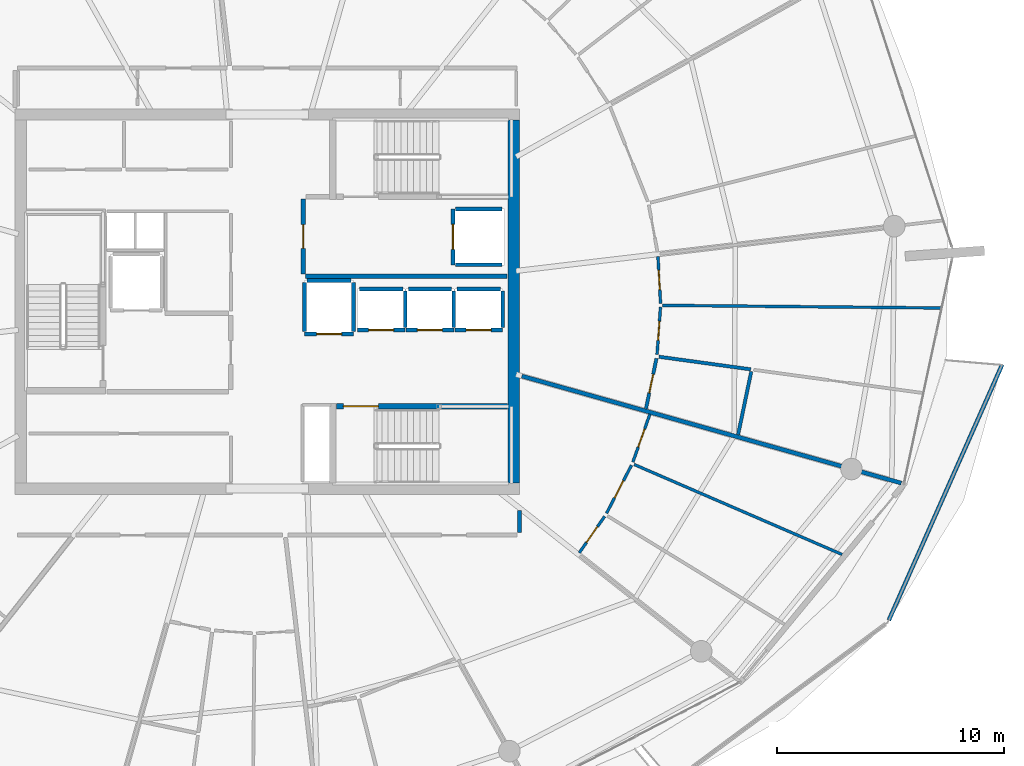
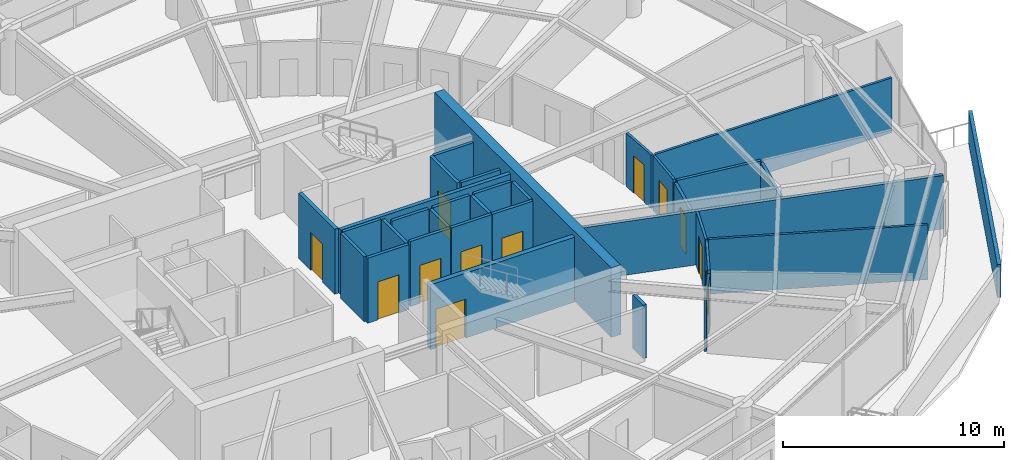
# One storey, part 20 of 30: 33 walls, 13 doors, 13 openings.
"""IFC4 building model written with IfcOpenShell, lengths in metres."""

from ifc_helpers import new_model, si_unit, direction, frame, frame_2d, origin, place, context, subcontext, project, spatial, polyline, rectangle, outline, extrude, material, layer, layer_set, type_object, element, fill, save


model = new_model("IFC4")

# Units and contexts
model_context = context("Model", 3, precision=1e-05, world=origin(), true_north=direction((0.0, 1.0)))
body_context = subcontext(model_context, "Body", "Model", "MODEL_VIEW")
ifc_project = project(units=[si_unit("LENGTHUNIT", "METRE"), si_unit("AREAUNIT", "SQUARE_METRE"), si_unit("VOLUMEUNIT", "CUBIC_METRE"), si_unit("PLANEANGLEUNIT", "RADIAN"), si_unit("MASSUNIT", "GRAM", prefix="KILO")], contexts=[model_context])

# Site, building, storey
site_placement = place(None, origin())
site = spatial("IfcSite", under=ifc_project, at=site_placement, CompositionType="ELEMENT")
building_placement = place(site_placement, origin())
building = spatial("IfcBuilding", under=site, at=building_placement, Name="Kazma Halo Residences", CompositionType="ELEMENT")
storey_placement = place(building_placement, frame((0.0, 0.0, 279.050048828125)))
storey = spatial("IfcBuildingStorey", under=building, at=storey_placement, Name="L70", CompositionType="ELEMENT", Elevation=279.050048828125)

# Walls
ifc_material_1 = material(Name="White Concrete C50/60 Balustrade", Category="concrete")
ifc_layer_1 = layer(ifc_material_1, 0.179931640625)
ifc_layer_set_1 = layer_set([ifc_layer_1], Name="White Concrete C50/60 Balustrade")
wall_type_1 = type_object("IfcWallType", Name="WL-BAL-WAVE-180", PredefinedType="PARAPET", material=ifc_layer_set_1)
wall_1_placement = place(storey_placement, frame((75.841552734375, 27.948486328125, 0.0), z_axis=(0.0, 0.0, 1.0), x_axis=(0.405327660322, 0.914171476135, 0.0)))
element("IfcWall", 1, at=wall_1_placement, inside=storey, type_object=wall_type_1, Name="L70 white wave balustrade wall SE.2", PredefinedType="PARAPET", context=body_context, shape_type="SweptSolid", body=[
    extrude(outline(polyline([(0.0, 0.0), (12.322998046875, 0.0), (12.322998046875, 1.755859375), (6.16162109375, 1.85302734375), (0.0, 1.83203125), (0.0, 0.0)])), frame((0.0, 0.08984375, 0.0), z_axis=(0.0, -1.0, 0.0), x_axis=(1.0, 0.0, 0.0)), (0.0, 0.0, 1.0), 0.179931640625),
])
ifc_material_2 = material(Name="Concrete C60/75", Category="concrete")
ifc_layer_2 = layer(ifc_material_2, 0.5)
ifc_layer_set_2 = layer_set([ifc_layer_2], Name="Concrete C60/75")
wall_type_2 = type_object("IfcWallType", Name="WL-CORE-500", PredefinedType="SHEAR", material=ifc_layer_set_2)
wall_2_placement = place(storey_placement, frame((59.300048828125, 34.0, 0.0), z_axis=(0.0, 0.0, 1.0), x_axis=(0.0, 1.0, 0.0)))
element("IfcWall", 2, at=wall_2_placement, inside=storey, type_object=wall_type_2, Name="L70 central core shear wall E", PredefinedType="SHEAR", context=body_context, shape_type="SweptSolid", body=[
    extrude(rectangle(XDim=16.0, YDim=0.5, at=frame_2d((8.0, 0.0))), origin(), (0.0, 0.0, 1.0), 3.849853515625),
])
ifc_material_3 = material(Name="Acoustic Twin-Stud Gypsum")
ifc_layer_3 = layer(ifc_material_3, 0.179931640625)
ifc_layer_set_3 = layer_set([ifc_layer_3], Name="Acoustic Twin-Stud Gypsum")
wall_type_3 = type_object("IfcWallType", Name="WL-DEM-180", PredefinedType="PARTITIONING", material=ifc_layer_set_3)
wall_3_placement = place(storey_placement, frame((59.656005859375, 38.712646484375, 0.0), z_axis=(0.0, 0.0, 1.0), x_axis=(0.962454756022, -0.27144215334, 0.0)))
element("IfcWall", 3, at=wall_3_placement, inside=storey, type_object=wall_type_3, Name="L70 apartment demising radial wall 14", PredefinedType="PARTITIONING", context=body_context, shape_type="SweptSolid", body=[
    extrude(rectangle(XDim=17.385009765625, YDim=0.179931640625, at=frame_2d((8.6923828125, 0.0))), origin(), (0.0, 0.0, 1.0), 2.95703125),
])
wall_4_placement = place(storey_placement, frame((59.550048828125, 31.820068359375, 0.0), z_axis=(0.0, 0.0, 1.0), x_axis=(0.0, 1.0, 0.0)))
element("IfcWall", 4, at=wall_4_placement, inside=storey, type_object=wall_type_3, Name="L70 Apartment 3 entrance corridor wall", PredefinedType="PARTITIONING", context=body_context, shape_type="SweptSolid", body=[
    extrude(rectangle(XDim=0.95458984375, YDim=0.179931640625, at=frame_2d((0.477294921875, 0.0))), origin(), (0.0, 0.0, 1.0), 2.95703125),
])

# Wall, opening, door
ifc_material_4 = material(Name="Fire-Rated Blockwork Masonry", Category="masonry")
ifc_layer_4 = layer(ifc_material_4, 0.199951171875)
ifc_layer_set_4 = layer_set([ifc_layer_4], Name="Fire-Rated Blockwork Masonry")
wall_type_4 = type_object("IfcWallType", Name="WL-FLB-200", PredefinedType="PARTITIONING", material=ifc_layer_set_4)
wall_5_placement = place(storey_placement, frame((54.5048828125, 40.7451171875, 0.0), z_axis=(0.0, 0.0, 1.0), x_axis=(-1.0, 0.0, 0.0)))
wall_5 = element("IfcWall", 5, at=wall_5_placement, inside=storey, type_object=wall_type_4, Name="L70 lift shaft PH-01 front wall", PredefinedType="PARTITIONING", context=body_context, shape_type="SweptSolid", body=[
    extrude(rectangle(XDim=2.10986328125, YDim=0.159912109375, at=frame_2d((1.054931640625, 0.0))), origin(), (0.0, 0.0, 1.0), 3.58984375),
])
opening_1_placement = place(wall_5_placement, frame((0.5048828125, 0.0, 0.0)))
opening_1 = element("IfcOpeningElement", 6, at=opening_1_placement, cuts=wall_5, Name="Opening LD-PH-01", PredefinedType="OPENING", context=body_context, shape_type="SweptSolid", body=[
    extrude(rectangle(XDim=1.10009765625, YDim=2.10009765625, at=frame_2d((0.550048828125, 1.050048828125))), frame((0.0, 0.08984375, 0.0), z_axis=(0.0, -1.0, 0.0), x_axis=(1.0, 0.0, 0.0)), (0.0, 0.0, 1.0), 0.179931640625),
])
ifc_material_5 = material(Name="Stainless Steel Fire-Rated", Category="steel")
door_type_1 = type_object("IfcDoorType", Name="DR-LIFT-SLD-1100", OperationType="DOUBLE_DOOR_SLIDING", PredefinedType="DOOR", material=ifc_material_5)
door_1_placement = place(opening_1_placement, origin())
door_1 = element("IfcDoor", 7, at=door_1_placement, inside=storey, type_object=door_type_1, Name="L70 lift PH-01 sliding landing door", OperationType="DOUBLE_DOOR_SLIDING", OverallHeight=2.10009765625, OverallWidth=1.10009765625, PredefinedType="DOOR", context=body_context, shape_type="SweptSolid", body=[
    extrude(rectangle(XDim=1.10009765625, YDim=2.10009765625, at=frame_2d((0.550048828125, 1.050048828125))), frame((0.0, 0.02490234375, 0.0), z_axis=(0.0, -1.0, 0.0), x_axis=(1.0, 0.0, 0.0)), (0.0, 0.0, 1.0), 0.050048828125),
])
fill(opening_1, door_1)

# Walls
wall_6_placement = place(storey_placement, frame((54.5048828125, 40.844970703125, 0.0), z_axis=(0.0, 0.0, 1.0), x_axis=(0.0, 1.0, 0.0)))
element("IfcWall", 8, at=wall_6_placement, inside=storey, type_object=wall_type_4, Name="L70 lift shaft PH-01 side wall E", PredefinedType="PARTITIONING", context=body_context, shape_type="SweptSolid", body=[
    extrude(rectangle(XDim=1.610107421875, YDim=0.159912109375, at=frame_2d((0.80517578125, 0.0))), origin(), (0.0, 0.0, 1.0), 3.58984375),
])
wall_7_placement = place(storey_placement, frame((52.4951171875, 42.554931640625, 0.0), z_axis=(0.0, 0.0, 1.0), x_axis=(1.0, 0.0, 0.0)))
element("IfcWall", 9, at=wall_7_placement, inside=storey, type_object=wall_type_4, Name="L70 lift shaft PH-01 side wall N", PredefinedType="PARTITIONING", context=body_context, shape_type="SweptSolid", body=[
    extrude(rectangle(XDim=1.909912109375, YDim=0.159912109375, at=frame_2d((0.955078125, 0.0))), origin(), (0.0, 0.0, 1.0), 3.58984375),
])

# Wall, opening, door
wall_8_placement = place(storey_placement, frame((56.655029296875, 40.7451171875, 0.0), z_axis=(0.0, 0.0, 1.0), x_axis=(-1.0, 0.0, 0.0)))
wall_8 = element("IfcWall", 10, at=wall_8_placement, inside=storey, type_object=wall_type_4, Name="L70 lift shaft PH-02 front wall", PredefinedType="PARTITIONING", context=body_context, shape_type="SweptSolid", body=[
    extrude(rectangle(XDim=2.110107421875, YDim=0.159912109375, at=frame_2d((1.05517578125, 0.0))), origin(), (0.0, 0.0, 1.0), 3.58984375),
])
opening_2_placement = place(wall_8_placement, frame((0.5048828125, 0.0, 0.0)))
opening_2 = element("IfcOpeningElement", 11, at=opening_2_placement, cuts=wall_8, Name="Opening LD-PH-02", PredefinedType="OPENING", context=body_context, shape_type="SweptSolid", body=[
    extrude(rectangle(XDim=1.10009765625, YDim=2.10009765625, at=frame_2d((0.550048828125, 1.050048828125))), frame((0.0, 0.08984375, 0.0), z_axis=(0.0, -1.0, 0.0), x_axis=(1.0, 0.0, 0.0)), (0.0, 0.0, 1.0), 0.179931640625),
])
door_2_placement = place(opening_2_placement, origin())
door_2 = element("IfcDoor", 12, at=door_2_placement, inside=storey, type_object=door_type_1, Name="L70 lift PH-02 sliding landing door", OperationType="DOUBLE_DOOR_SLIDING", OverallHeight=2.10009765625, OverallWidth=1.10009765625, PredefinedType="DOOR", context=body_context, shape_type="SweptSolid", body=[
    extrude(rectangle(XDim=1.10009765625, YDim=2.10009765625, at=frame_2d((0.550048828125, 1.050048828125))), frame((0.0, 0.02490234375, 0.0), z_axis=(0.0, -1.0, 0.0), x_axis=(1.0, 0.0, 0.0)), (0.0, 0.0, 1.0), 0.050048828125),
])
fill(opening_2, door_2)

# Walls
wall_9_placement = place(storey_placement, frame((56.655029296875, 40.844970703125, 0.0), z_axis=(0.0, 0.0, 1.0), x_axis=(0.0, 1.0, 0.0)))
element("IfcWall", 13, at=wall_9_placement, inside=storey, type_object=wall_type_4, Name="L70 lift shaft PH-02 side wall E", PredefinedType="PARTITIONING", context=body_context, shape_type="SweptSolid", body=[
    extrude(rectangle(XDim=1.610107421875, YDim=0.159912109375, at=frame_2d((0.80517578125, 0.0))), origin(), (0.0, 0.0, 1.0), 3.58984375),
])
wall_10_placement = place(storey_placement, frame((54.64501953125, 42.554931640625, 0.0), z_axis=(0.0, 0.0, 1.0), x_axis=(1.0, 0.0, 0.0)))
element("IfcWall", 14, at=wall_10_placement, inside=storey, type_object=wall_type_4, Name="L70 lift shaft PH-02 side wall N", PredefinedType="PARTITIONING", context=body_context, shape_type="SweptSolid", body=[
    extrude(rectangle(XDim=1.909912109375, YDim=0.159912109375, at=frame_2d((0.955078125, 0.0))), origin(), (0.0, 0.0, 1.0), 3.58984375),
])

# Wall, opening, door
wall_11_placement = place(storey_placement, frame((58.804931640625, 40.7451171875, 0.0), z_axis=(0.0, 0.0, 1.0), x_axis=(-1.0, 0.0, 0.0)))
wall_11 = element("IfcWall", 15, at=wall_11_placement, inside=storey, type_object=wall_type_4, Name="L70 lift shaft PH-03 front wall", PredefinedType="PARTITIONING", context=body_context, shape_type="SweptSolid", body=[
    extrude(rectangle(XDim=2.10986328125, YDim=0.159912109375, at=frame_2d((1.054931640625, 0.0))), origin(), (0.0, 0.0, 1.0), 3.58984375),
])
opening_3_placement = place(wall_11_placement, frame((0.5048828125, 0.0, 0.0)))
opening_3 = element("IfcOpeningElement", 16, at=opening_3_placement, cuts=wall_11, Name="Opening LD-PH-03", PredefinedType="OPENING", context=body_context, shape_type="SweptSolid", body=[
    extrude(rectangle(XDim=1.10009765625, YDim=2.10009765625, at=frame_2d((0.550048828125, 1.050048828125))), frame((0.0, 0.08984375, 0.0), z_axis=(0.0, -1.0, 0.0), x_axis=(1.0, 0.0, 0.0)), (0.0, 0.0, 1.0), 0.179931640625),
])
door_3_placement = place(opening_3_placement, origin())
door_3 = element("IfcDoor", 17, at=door_3_placement, inside=storey, type_object=door_type_1, Name="L70 lift PH-03 sliding landing door", OperationType="DOUBLE_DOOR_SLIDING", OverallHeight=2.10009765625, OverallWidth=1.10009765625, PredefinedType="DOOR", context=body_context, shape_type="SweptSolid", body=[
    extrude(rectangle(XDim=1.10009765625, YDim=2.10009765625, at=frame_2d((0.550048828125, 1.050048828125))), frame((0.0, 0.02490234375, 0.0), z_axis=(0.0, -1.0, 0.0), x_axis=(1.0, 0.0, 0.0)), (0.0, 0.0, 1.0), 0.050048828125),
])
fill(opening_3, door_3)

# Walls
wall_12_placement = place(storey_placement, frame((58.804931640625, 40.844970703125, 0.0), z_axis=(0.0, 0.0, 1.0), x_axis=(0.0, 1.0, 0.0)))
element("IfcWall", 18, at=wall_12_placement, inside=storey, type_object=wall_type_4, Name="L70 lift shaft PH-03 side wall E", PredefinedType="PARTITIONING", context=body_context, shape_type="SweptSolid", body=[
    extrude(rectangle(XDim=1.610107421875, YDim=0.159912109375, at=frame_2d((0.80517578125, 0.0))), origin(), (0.0, 0.0, 1.0), 3.58984375),
])
wall_13_placement = place(storey_placement, frame((56.794921875, 42.554931640625, 0.0), z_axis=(0.0, 0.0, 1.0), x_axis=(1.0, 0.0, 0.0)))
element("IfcWall", 19, at=wall_13_placement, inside=storey, type_object=wall_type_4, Name="L70 lift shaft PH-03 side wall N", PredefinedType="PARTITIONING", context=body_context, shape_type="SweptSolid", body=[
    extrude(rectangle(XDim=1.91015625, YDim=0.159912109375, at=frame_2d((0.955078125, 0.0))), origin(), (0.0, 0.0, 1.0), 3.58984375),
])

# Wall, opening, door
wall_14_placement = place(storey_placement, frame((56.6201171875, 46.080078125, 0.0), z_axis=(0.0, 0.0, 1.0), x_axis=(0.0, -1.0, 0.0)))
wall_14 = element("IfcWall", 20, at=wall_14_placement, inside=storey, type_object=wall_type_4, Name="L70 lift shaft FL-02 front wall", PredefinedType="PARTITIONING", context=body_context, shape_type="SweptSolid", body=[
    extrude(rectangle(XDim=2.4599609375, YDim=0.159912109375, at=frame_2d((1.22998046875, 0.0))), origin(), (0.0, 0.0, 1.0), 3.58984375),
])
opening_4_placement = place(wall_14_placement, frame((0.679931640625, 0.0, 0.0)))
opening_4 = element("IfcOpeningElement", 21, at=opening_4_placement, cuts=wall_14, Name="Opening LD-FL-02", PredefinedType="OPENING", context=body_context, shape_type="SweptSolid", body=[
    extrude(rectangle(XDim=1.10009765625, YDim=2.10009765625, at=frame_2d((0.550048828125, 1.050048828125))), frame((0.0, 0.08984375, 0.0), z_axis=(0.0, -1.0, 0.0), x_axis=(1.0, 0.0, 0.0)), (0.0, 0.0, 1.0), 0.179931640625),
])
door_4_placement = place(opening_4_placement, origin())
door_4 = element("IfcDoor", 22, at=door_4_placement, inside=storey, type_object=door_type_1, Name="L70 lift FL-02 sliding landing door", OperationType="DOUBLE_DOOR_SLIDING", OverallHeight=2.10009765625, OverallWidth=1.10009765625, PredefinedType="DOOR", context=body_context, shape_type="SweptSolid", body=[
    extrude(rectangle(XDim=1.10009765625, YDim=2.10009765625, at=frame_2d((0.550048828125, 1.050048828125))), frame((0.0, 0.02490234375, 0.0), z_axis=(0.0, -1.0, 0.0), x_axis=(1.0, 0.0, 0.0)), (0.0, 0.0, 1.0), 0.050048828125),
])
fill(opening_4, door_4)

# Walls
for number, where, z_axis, x_axis, name in (
    (23, (56.719970703125, 46.080078125, 0.0), (0.0, 0.0, 1.0), (1.0, 0.0, 0.0), "L70 lift shaft FL-02 side wall N"),
    (24, (56.719970703125, 43.6201171875, 0.0), (0.0, 0.0, 1.0), (1.0, 0.0, 0.0), "L70 lift shaft FL-02 side wall S"),
):
    element("IfcWall", number, at=place(storey_placement, frame(where, z_axis=z_axis, x_axis=x_axis)), inside=storey, type_object=wall_type_4, Name=name, PredefinedType="PARTITIONING", context=body_context, shape_type="SweptSolid", body=[
        extrude(rectangle(XDim=2.06005859375, YDim=0.159912109375, at=frame_2d((1.030029296875, 0.0))), origin(), (0.0, 0.0, 1.0), 3.58984375),
    ])

# Wall, opening, door
wall_15_placement = place(storey_placement, frame((52.22998046875, 40.570068359375, 0.0), z_axis=(0.0, 0.0, 1.0), x_axis=(-1.0, 0.0, 0.0)))
wall_15 = element("IfcWall", 25, at=wall_15_placement, inside=storey, type_object=wall_type_4, Name="L70 lift shaft SV-01 front wall", PredefinedType="PARTITIONING", context=body_context, shape_type="SweptSolid", body=[
    extrude(rectangle(XDim=2.159912109375, YDim=0.159912109375, at=frame_2d((1.080078125, 0.0))), origin(), (0.0, 0.0, 1.0), 3.58984375),
])
opening_5_placement = place(wall_15_placement, frame((0.530029296875, 0.0, 0.0)))
opening_5 = element("IfcOpeningElement", 26, at=opening_5_placement, cuts=wall_15, Name="Opening LD-SV-01", PredefinedType="OPENING", context=body_context, shape_type="SweptSolid", body=[
    extrude(rectangle(XDim=1.10009765625, YDim=2.10009765625, at=frame_2d((0.550048828125, 1.050048828125))), frame((0.0, 0.08984375, 0.0), z_axis=(0.0, -1.0, 0.0), x_axis=(1.0, 0.0, 0.0)), (0.0, 0.0, 1.0), 0.179931640625),
])
door_5_placement = place(opening_5_placement, origin())
door_5 = element("IfcDoor", 27, at=door_5_placement, inside=storey, type_object=door_type_1, Name="L70 lift SV-01 sliding landing door", OperationType="DOUBLE_DOOR_SLIDING", OverallHeight=2.10009765625, OverallWidth=1.10009765625, PredefinedType="DOOR", context=body_context, shape_type="SweptSolid", body=[
    extrude(rectangle(XDim=1.10009765625, YDim=2.10009765625, at=frame_2d((0.550048828125, 1.050048828125))), frame((0.0, 0.02490234375, 0.0), z_axis=(0.0, -1.0, 0.0), x_axis=(1.0, 0.0, 0.0)), (0.0, 0.0, 1.0), 0.050048828125),
])
fill(opening_5, door_5)

# Walls
for number, where, z_axis, x_axis, name in (
    (28, (52.22998046875, 40.669921875, 0.0), (0.0, 0.0, 1.0), (0.0, 1.0, 0.0), "L70 lift shaft SV-01 side wall E"),
    (29, (50.070068359375, 40.669921875, 0.0), (0.0, 0.0, 1.0), (0.0, 1.0, 0.0), "L70 lift shaft SV-01 side wall W"),
):
    element("IfcWall", number, at=place(storey_placement, frame(where, z_axis=z_axis, x_axis=x_axis)), inside=storey, type_object=wall_type_4, Name=name, PredefinedType="PARTITIONING", context=body_context, shape_type="SweptSolid", body=[
        extrude(rectangle(XDim=2.16015625, YDim=0.159912109375, at=frame_2d((1.080078125, 0.0))), origin(), (0.0, 0.0, 1.0), 3.58984375),
    ])
wall_16_placement = place(storey_placement, frame((50.169921875, 42.929931640625, 0.0), z_axis=(0.0, 0.0, 1.0), x_axis=(1.0, 0.0, 0.0)))
element("IfcWall", 30, at=wall_16_placement, inside=storey, type_object=wall_type_4, Name="L70 lift shaft SV-01 side wall N", PredefinedType="PARTITIONING", context=body_context, shape_type="SweptSolid", body=[
    extrude(rectangle(XDim=1.9599609375, YDim=0.159912109375, at=frame_2d((0.97998046875, 0.0))), origin(), (0.0, 0.0, 1.0), 3.58984375),
])
wall_17_placement = place(storey_placement, frame((50.1201171875, 43.1201171875, 0.0), z_axis=(0.0, 0.0, 1.0), x_axis=(1.0, 0.0, 0.0)))
element("IfcWall", 31, at=wall_17_placement, inside=storey, type_object=wall_type_4, Name="L70 east firefighting lobby south smoke wall", PredefinedType="PARTITIONING", context=body_context, shape_type="SweptSolid", body=[
    extrude(rectangle(XDim=8.8798828125, YDim=0.199951171875, at=frame_2d((4.43994140625, 0.0))), origin(), (0.0, 0.0, 1.0), 3.58984375),
])

# Wall, opening, door
wall_18_placement = place(storey_placement, frame((50.02001953125, 43.219970703125, 0.0), z_axis=(0.0, 0.0, 1.0), x_axis=(0.0, 1.0, 0.0)))
wall_18 = element("IfcWall", 32, at=wall_18_placement, inside=storey, type_object=wall_type_4, Name="L70 east firefighting lobby smoke wall", PredefinedType="PARTITIONING", context=body_context, shape_type="SweptSolid", body=[
    extrude(rectangle(XDim=3.300048828125, YDim=0.199951171875, at=frame_2d((1.64990234375, 0.0))), origin(), (0.0, 0.0, 1.0), 3.58984375),
])
opening_6_placement = place(wall_18_placement, frame((1.125, 0.0, 0.0)))
opening_6 = element("IfcOpeningElement", 33, at=opening_6_placement, cuts=wall_18, Name="Opening D-FLE", PredefinedType="OPENING", context=body_context, shape_type="SweptSolid", body=[
    extrude(rectangle(XDim=1.050048828125, YDim=2.10009765625, at=frame_2d((0.52490234375, 1.050048828125))), frame((0.0, 0.10986328125, 0.0), z_axis=(0.0, -1.0, 0.0), x_axis=(1.0, 0.0, 0.0)), (0.0, 0.0, 1.0), 0.219970703125),
])
ifc_material_6 = material(Name="Fire-Rated Steel Leaf", Category="steel")
door_type_2 = type_object("IfcDoorType", Name="DR-FD90-1050", OperationType="NOTDEFINED", PredefinedType="DOOR", material=ifc_material_6)
door_6_placement = place(opening_6_placement, origin())
door_6 = element("IfcDoor", 34, at=door_6_placement, inside=storey, type_object=door_type_2, Name="L70 east firefighting lobby smoke door", OperationType="SINGLE_SWING_RIGHT", OverallHeight=2.10009765625, OverallWidth=1.050048828125, PredefinedType="DOOR", context=body_context, shape_type="SweptSolid", body=[
    extrude(rectangle(XDim=1.050048828125, YDim=2.10009765625, at=frame_2d((0.52490234375, 1.050048828125))), frame((0.0, 0.02490234375, 0.0), z_axis=(0.0, -1.0, 0.0), x_axis=(1.0, 0.0, 0.0)), (0.0, 0.0, 1.0), 0.050048828125),
])
fill(opening_6, door_6)

# Wall
ifc_material_7 = material(Name="Gypsum Plasterboard Partition")
ifc_layer_5 = layer(ifc_material_7, 0.125)
ifc_layer_set_5 = layer_set([ifc_layer_5], Name="Gypsum Plasterboard Partition")
wall_type_5 = type_object("IfcWallType", Name="WL-PART-125", PredefinedType="PARTITIONING", material=ifc_layer_set_5)
wall_19_placement = place(storey_placement, frame((64.607666015625, 34.813232421875, 0.0), z_axis=(0.0, 0.0, 1.0), x_axis=(0.917754543675, -0.397148080146, 0.0)))
element("IfcWall", 35, at=wall_19_placement, inside=storey, type_object=wall_type_5, Name="L70 Apartment 3 bay wall 2 13", PredefinedType="PARTITIONING", context=body_context, shape_type="SweptSolid", body=[
    extrude(rectangle(XDim=9.994384765625, YDim=0.125, at=frame_2d((4.9970703125, 0.0))), origin(), (0.0, 0.0, 1.0), 3.030029296875),
])

# Wall, opening, door
wall_20_placement = place(storey_placement, frame((62.18603515625, 30.918212890625, 0.0), z_axis=(0.0, 0.0, 1.0), x_axis=(0.571797742108, 0.820394625848, 0.0)))
wall_20 = element("IfcWall", 36, at=wall_20_placement, inside=storey, type_object=wall_type_5, Name="L70 Apartment 3 East Bedroom hall wall", PredefinedType="PARTITIONING", context=body_context, shape_type="SweptSolid", body=[
    extrude(rectangle(XDim=1.960205078125, YDim=0.125, at=frame_2d((0.97998046875, 0.0))), origin(), (0.0, 0.0, 1.0), 2.95703125),
])
opening_7_placement = place(wall_20_placement, frame((0.55517578125, 0.0, 0.0)))
opening_7 = element("IfcOpeningElement", 37, at=opening_7_placement, cuts=wall_20, Name="Opening DB-900", PredefinedType="OPENING", context=body_context, shape_type="SweptSolid", body=[
    extrude(rectangle(XDim=0.85009765625, YDim=2.06005859375, at=frame_2d((0.425048828125, 1.030029296875))), frame((0.0, 0.072509765625, 0.0), z_axis=(0.0, -1.0, 0.0), x_axis=(1.0, 0.0, 0.0)), (0.0, 0.0, 1.0), 0.14501953125),
])
ifc_material_8 = material(Name="Moisture-Sealed Timber Leaf", Category="wood")
door_type_3 = type_object("IfcDoorType", Name="DR-BTH-900", OperationType="NOTDEFINED", PredefinedType="DOOR", material=ifc_material_8)
door_7_placement = place(opening_7_placement, origin())
door_7 = element("IfcDoor", 38, at=door_7_placement, inside=storey, type_object=door_type_3, Name="L70 Apartment 3 East Bedroom door", OperationType="SINGLE_SWING_LEFT", OverallHeight=2.06005859375, OverallWidth=0.85009765625, PredefinedType="DOOR", context=body_context, shape_type="SweptSolid", body=[
    extrude(rectangle(XDim=0.85009765625, YDim=2.06005859375, at=frame_2d((0.425048828125, 1.030029296875))), frame((0.0, 0.02490234375, 0.0), z_axis=(0.0, -1.0, 0.0), x_axis=(1.0, 0.0, 0.0)), (0.0, 0.0, 1.0), 0.050048828125),
])
fill(opening_7, door_7)

wall_21_placement = place(storey_placement, frame((63.389404296875, 32.662841796875, 0.0), z_axis=(0.0, 0.0, 1.0), x_axis=(0.461007635573, 0.887396168542, 0.0)))
wall_21 = element("IfcWall", 39, at=wall_21_placement, inside=storey, type_object=wall_type_5, Name="L70 Apartment 3 West Dressing Wardrobe hall wall", PredefinedType="PARTITIONING", context=body_context, shape_type="SweptSolid", body=[
    extrude(rectangle(XDim=2.383544921875, YDim=0.125, at=frame_2d((1.19189453125, 0.0))), origin(), (0.0, 0.0, 1.0), 3.030029296875),
])
opening_8_placement = place(wall_21_placement, frame((0.7666015625, 0.0, 0.0)))
opening_8 = element("IfcOpeningElement", 40, at=opening_8_placement, cuts=wall_21, Name="Opening DB-900", PredefinedType="OPENING", context=body_context, shape_type="SweptSolid", body=[
    extrude(rectangle(XDim=0.85009765625, YDim=2.06005859375, at=frame_2d((0.425048828125, 1.030029296875))), frame((0.0, 0.072509765625, 0.0), z_axis=(0.0, -1.0, 0.0), x_axis=(1.0, 0.0, 0.0)), (0.0, 0.0, 1.0), 0.14501953125),
])
door_8_placement = place(opening_8_placement, origin())
door_8 = element("IfcDoor", 41, at=door_8_placement, inside=storey, type_object=door_type_3, Name="L70 Apartment 3 West Dressing Wardrobe door", OperationType="SINGLE_SWING_RIGHT", OverallHeight=2.06005859375, OverallWidth=0.85009765625, PredefinedType="DOOR", context=body_context, shape_type="SweptSolid", body=[
    extrude(rectangle(XDim=0.85009765625, YDim=2.06005859375, at=frame_2d((0.425048828125, 1.030029296875))), frame((0.0, 0.02490234375, 0.0), z_axis=(0.0, -1.0, 0.0), x_axis=(1.0, 0.0, 0.0)), (0.0, 0.0, 1.0), 0.050048828125),
])
fill(opening_8, door_8)

wall_22_placement = place(storey_placement, frame((64.552001953125, 34.92431640625, 0.0), z_axis=(0.0, 0.0, 1.0), x_axis=(0.335011815583, 0.942213926569, 0.0)))
wall_22 = element("IfcWall", 42, at=wall_22_placement, inside=storey, type_object=wall_type_5, Name="L70 Apartment 3 North Bedroom hall wall", PredefinedType="PARTITIONING", context=body_context, shape_type="SweptSolid", body=[
    extrude(rectangle(XDim=2.242431640625, YDim=0.125, at=frame_2d((1.12109375, 0.0))), origin(), (0.0, 0.0, 1.0), 2.95703125),
])
opening_9_placement = place(wall_22_placement, frame((0.696044921875, 0.0, 0.0)))
opening_9 = element("IfcOpeningElement", 43, at=opening_9_placement, cuts=wall_22, Name="Opening DB-900", PredefinedType="OPENING", context=body_context, shape_type="SweptSolid", body=[
    extrude(rectangle(XDim=0.85009765625, YDim=2.06005859375, at=frame_2d((0.425048828125, 1.030029296875))), frame((0.0, 0.072509765625, 0.0), z_axis=(0.0, -1.0, 0.0), x_axis=(1.0, 0.0, 0.0)), (0.0, 0.0, 1.0), 0.14501953125),
])
door_9_placement = place(opening_9_placement, origin())
door_9 = element("IfcDoor", 44, at=door_9_placement, inside=storey, type_object=door_type_3, Name="L70 Apartment 3 North Bedroom door", OperationType="SINGLE_SWING_LEFT", OverallHeight=2.06005859375, OverallWidth=0.85009765625, PredefinedType="DOOR", context=body_context, shape_type="SweptSolid", body=[
    extrude(rectangle(XDim=0.85009765625, YDim=2.06005859375, at=frame_2d((0.425048828125, 1.030029296875))), frame((0.0, 0.02490234375, 0.0), z_axis=(0.0, -1.0, 0.0), x_axis=(1.0, 0.0, 0.0)), (0.0, 0.0, 1.0), 0.050048828125),
])
fill(opening_9, door_9)

# Wall
wall_23_placement = place(storey_placement, frame((65.865234375, 41.831787109375, 0.0), z_axis=(0.0, 0.0, 1.0), x_axis=(0.999955421737, -0.009442168124, 0.0)))
element("IfcWall", 45, at=wall_23_placement, inside=storey, type_object=wall_type_5, Name="L70 Apartment 4 suite divider 14", PredefinedType="PARTITIONING", context=body_context, shape_type="SweptSolid", body=[
    extrude(rectangle(XDim=12.28173828125, YDim=0.125, at=frame_2d((6.140869140625, 0.0))), origin(), (0.0, 0.0, 1.0), 3.030029296875),
])

# Wall, opening, door
wall_24_placement = place(storey_placement, frame((65.616943359375, 39.668212890625, 0.0), z_axis=(0.0, 0.0, 1.0), x_axis=(0.072890621107, 0.99733994072, 0.0)))
wall_24 = element("IfcWall", 46, at=wall_24_placement, inside=storey, type_object=wall_type_5, Name="L70 Apartment 4 Gourmet Kitchen hall wall", PredefinedType="PARTITIONING", context=body_context, shape_type="SweptSolid", body=[
    extrude(rectangle(XDim=2.090087890625, YDim=0.125, at=frame_2d((1.044921875, 0.0))), origin(), (0.0, 0.0, 1.0), 3.030029296875),
])
opening_10_placement = place(wall_24_placement, frame((0.6201171875, 0.0, 0.0)))
opening_10 = element("IfcOpeningElement", 47, at=opening_10_placement, cuts=wall_24, Name="Opening DB-900", PredefinedType="OPENING", context=body_context, shape_type="SweptSolid", body=[
    extrude(rectangle(XDim=0.85009765625, YDim=2.06005859375, at=frame_2d((0.425048828125, 1.030029296875))), frame((0.0, 0.072509765625, 0.0), z_axis=(0.0, -1.0, 0.0), x_axis=(1.0, 0.0, 0.0)), (0.0, 0.0, 1.0), 0.14501953125),
])
door_10_placement = place(opening_10_placement, origin())
door_10 = element("IfcDoor", 48, at=door_10_placement, inside=storey, type_object=door_type_3, Name="L70 Apartment 4 Gourmet Kitchen door", OperationType="SINGLE_SWING_LEFT", OverallHeight=2.06005859375, OverallWidth=0.85009765625, PredefinedType="DOOR", context=body_context, shape_type="SweptSolid", body=[
    extrude(rectangle(XDim=0.85009765625, YDim=2.06005859375, at=frame_2d((0.425048828125, 1.030029296875))), frame((0.0, 0.02490234375, 0.0), z_axis=(0.0, -1.0, 0.0), x_axis=(1.0, 0.0, 0.0)), (0.0, 0.0, 1.0), 0.050048828125),
])
fill(opening_10, door_10)

wall_25_placement = place(storey_placement, frame((65.77099609375, 41.912353515625, 0.0), z_axis=(0.0, 0.0, 1.0), x_axis=(-0.054221950574, 0.998528907982, 0.0)))
wall_25 = element("IfcWall", 49, at=wall_25_placement, inside=storey, type_object=wall_type_5, Name="L70 Apartment 4 Master Bedroom hall wall", PredefinedType="PARTITIONING", context=body_context, shape_type="SweptSolid", body=[
    extrude(rectangle(XDim=2.080322265625, YDim=0.125, at=frame_2d((1.0400390625, 0.0))), origin(), (0.0, 0.0, 1.0), 2.95703125),
])
opening_11_placement = place(wall_25_placement, frame((0.614990234375, 0.0, 0.0)))
opening_11 = element("IfcOpeningElement", 50, at=opening_11_placement, cuts=wall_25, Name="Opening DB-900", PredefinedType="OPENING", context=body_context, shape_type="SweptSolid", body=[
    extrude(rectangle(XDim=0.85009765625, YDim=2.06005859375, at=frame_2d((0.425048828125, 1.030029296875))), frame((0.0, 0.072509765625, 0.0), z_axis=(0.0, -1.0, 0.0), x_axis=(1.0, 0.0, 0.0)), (0.0, 0.0, 1.0), 0.14501953125),
])
door_11_placement = place(opening_11_placement, origin())
door_11 = element("IfcDoor", 51, at=door_11_placement, inside=storey, type_object=door_type_3, Name="L70 Apartment 4 Master Bedroom door", OperationType="SINGLE_SWING_RIGHT", OverallHeight=2.06005859375, OverallWidth=0.85009765625, PredefinedType="DOOR", context=body_context, shape_type="SweptSolid", body=[
    extrude(rectangle(XDim=0.85009765625, YDim=2.06005859375, at=frame_2d((0.425048828125, 1.030029296875))), frame((0.0, 0.02490234375, 0.0), z_axis=(0.0, -1.0, 0.0), x_axis=(1.0, 0.0, 0.0)), (0.0, 0.0, 1.0), 0.050048828125),
])
fill(opening_11, door_11)

ifc_material_9 = material(Name="Concrete C50/60", Category="concrete")
ifc_layer_6 = layer(ifc_material_9, 0.25)
ifc_layer_set_6 = layer_set([ifc_layer_6], Name="Concrete C50/60")
wall_type_6 = type_object("IfcWallType", Name="WL-SHF-250", PredefinedType="SOLIDWALL", material=ifc_layer_set_6)
wall_26_placement = place(storey_placement, frame((51.47998046875, 37.3798828125, 0.0), z_axis=(0.0, 0.0, 1.0), x_axis=(1.0, 0.0, 0.0)))
wall_26 = element("IfcWall", 52, at=wall_26_placement, inside=storey, type_object=wall_type_6, Name="L70 exit stair ST-03 enclosure wall", PredefinedType="SOLIDWALL", context=body_context, shape_type="SweptSolid", body=[
    extrude(rectangle(XDim=7.5400390625, YDim=0.25, at=frame_2d((3.77001953125, 0.0))), origin(), (0.0, 0.0, 1.0), 3.58984375),
])
opening_12_placement = place(wall_26_placement, frame((0.300048828125, 0.0, 0.0)))
opening_12 = element("IfcOpeningElement", 53, at=opening_12_placement, cuts=wall_26, Name="Opening D-ST3", PredefinedType="OPENING", context=body_context, shape_type="SweptSolid", body=[
    extrude(rectangle(XDim=1.550048828125, YDim=2.14990234375, at=frame_2d((0.77490234375, 1.074951171875))), frame((0.0, 0.135009765625, 0.0), z_axis=(0.0, -1.0, 0.0), x_axis=(1.0, 0.0, 0.0)), (0.0, 0.0, 1.0), 0.27001953125),
])
ifc_material_10 = material(Name="Fire-Rated Double Steel Leaf", Category="steel")
door_type_4 = type_object("IfcDoorType", Name="DR-FD90-1550", OperationType="NOTDEFINED", PredefinedType="DOOR", material=ifc_material_10)
door_12_placement = place(opening_12_placement, origin())
door_12 = element("IfcDoor", 54, at=door_12_placement, inside=storey, type_object=door_type_4, Name="L70 exit stair ST-03 fire door", OperationType="DOUBLE_DOOR_SINGLE_SWING", OverallHeight=2.14990234375, OverallWidth=1.550048828125, PredefinedType="DOOR", context=body_context, shape_type="SweptSolid", body=[
    extrude(rectangle(XDim=1.550048828125, YDim=2.14990234375, at=frame_2d((0.77490234375, 1.074951171875))), frame((0.0, 0.02490234375, 0.0), z_axis=(0.0, -1.0, 0.0), x_axis=(1.0, 0.0, 0.0)), (0.0, 0.0, 1.0), 0.050048828125),
])
fill(opening_12, door_12)

ifc_material_11 = material(Name="Moisture-Resistant Gypsum")
ifc_layer_7 = layer(ifc_material_11, 0.14990234375)
ifc_layer_set_7 = layer_set([ifc_layer_7], Name="Moisture-Resistant Gypsum")
wall_type_7 = type_object("IfcWallType", Name="WL-WET-150", PredefinedType="PARTITIONING", material=ifc_layer_set_7)
wall_27_placement = place(storey_placement, frame((65.12890625, 37.272705078125, 0.0), z_axis=(0.0, 0.0, 1.0), x_axis=(0.204337271361, 0.978900546293, 0.0)))
wall_27 = element("IfcWall", 55, at=wall_27_placement, inside=storey, type_object=wall_type_7, Name="L70 Apartment 4 Guest Bathroom hall wall", PredefinedType="PARTITIONING", context=body_context, shape_type="SweptSolid", body=[
    extrude(rectangle(XDim=2.265380859375, YDim=0.14990234375, at=frame_2d((1.1328125, 0.0))), origin(), (0.0, 0.0, 1.0), 2.95703125),
])
opening_13_placement = place(wall_27_placement, frame((0.70751953125, 0.0, 0.0)))
opening_13 = element("IfcOpeningElement", 56, at=opening_13_placement, cuts=wall_27, Name="Opening DB-900", PredefinedType="OPENING", context=body_context, shape_type="SweptSolid", body=[
    extrude(rectangle(XDim=0.85009765625, YDim=2.06005859375, at=frame_2d((0.425048828125, 1.030029296875))), frame((0.0, 0.0849609375, 0.0), z_axis=(0.0, -1.0, 0.0), x_axis=(1.0, 0.0, 0.0)), (0.0, 0.0, 1.0), 0.169921875),
])
door_13_placement = place(opening_13_placement, origin())
door_13 = element("IfcDoor", 57, at=door_13_placement, inside=storey, type_object=door_type_3, Name="L70 Apartment 4 Guest Bathroom door", OperationType="SINGLE_SWING_LEFT", OverallHeight=2.06005859375, OverallWidth=0.85009765625, PredefinedType="DOOR", context=body_context, shape_type="SweptSolid", body=[
    extrude(rectangle(XDim=0.85009765625, YDim=2.06005859375, at=frame_2d((0.425048828125, 1.030029296875))), frame((0.0, 0.02490234375, 0.0), z_axis=(0.0, -1.0, 0.0), x_axis=(1.0, 0.0, 0.0)), (0.0, 0.0, 1.0), 0.050048828125),
])
fill(opening_13, door_13)

# Walls
wall_28_placement = place(storey_placement, frame((69.190673828125, 36.127197265625, 0.0), z_axis=(0.0, 0.0, 1.0), x_axis=(0.204269165827, 0.978914760279, 0.0)))
element("IfcWall", 58, at=wall_28_placement, inside=storey, type_object=wall_type_7, Name="L70 Apartment 4 Guest Bathroom back wall", PredefinedType="PARTITIONING", context=body_context, shape_type="SweptSolid", body=[
    extrude(rectangle(XDim=2.84814453125, YDim=0.14990234375, at=frame_2d((1.424072265625, 0.0))), origin(), (0.0, 0.0, 1.0), 2.95703125),
])
wall_29_placement = place(storey_placement, frame((65.699462890625, 39.56591796875, 0.0), z_axis=(0.0, 0.0, 1.0), x_axis=(0.990678437061, -0.136221269786, 0.0)))
element("IfcWall", 59, at=wall_29_placement, inside=storey, type_object=wall_type_7, Name="L70 Apartment 4 Guest Bathroom side wall", PredefinedType="PARTITIONING", context=body_context, shape_type="SweptSolid", body=[
    extrude(rectangle(XDim=4.08984375, YDim=0.14990234375, at=frame_2d((2.044921875, 0.0))), origin(), (0.0, 0.0, 1.0), 3.030029296875),
])

save(model, "model.ifc")
